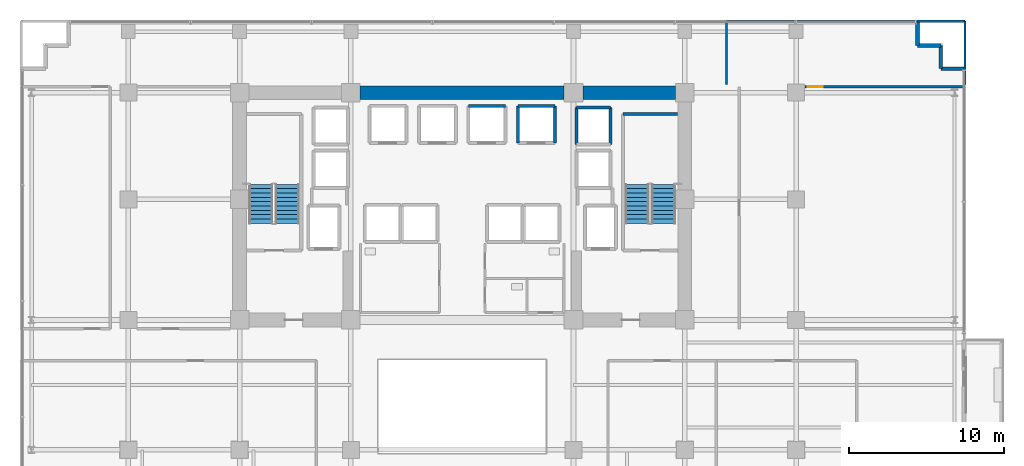
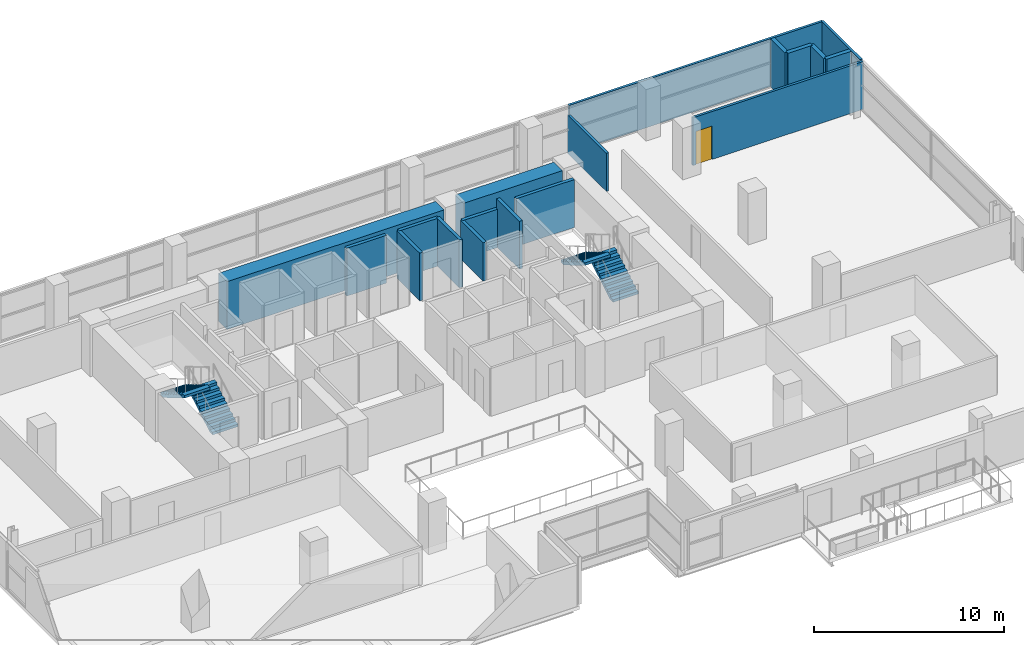
# One storey, part 24 of 28: 18 walls, 4 stair flights, 1 door, 1 opening, 2 elements without a shape of their own.
"""IFC4 building model written with IfcOpenShell, lengths in metres."""

from ifc_helpers import new_model, si_unit, direction, frame, frame_2d, origin, place, context, subcontext, project, spatial, polyline, rectangle, outline, extrude, source, transform, mapped, material, layer, layer_set, type_object, element, fill, aggregate, save


model = new_model("IFC4")

# Units and contexts
model_context = context("Model", 3, precision=1e-05, world=origin(), true_north=direction((0.0, 1.0)))
body_context = subcontext(model_context, "Body", "Model", "MODEL_VIEW")
ifc_project = project(units=[si_unit("LENGTHUNIT", "METRE"), si_unit("AREAUNIT", "SQUARE_METRE"), si_unit("VOLUMEUNIT", "CUBIC_METRE"), si_unit("PLANEANGLEUNIT", "RADIAN"), si_unit("MASSUNIT", "GRAM", prefix="KILO")], contexts=[model_context])

# Site, building, storey
site_placement = place(None, origin())
site = spatial("IfcSite", under=ifc_project, at=site_placement, CompositionType="ELEMENT")
building_placement = place(site_placement, origin())
building = spatial("IfcBuilding", under=site, at=building_placement, Name="Zarnakvel Exchange Tower", CompositionType="ELEMENT")
storey_placement = place(building_placement, frame((0.0, 0.0, 57.10009765625)))
storey = spatial("IfcBuildingStorey", under=building, at=storey_placement, Name="L15", CompositionType="ELEMENT", Elevation=57.10009765625)

# Walls
ifc_material_1 = material(Name="Concrete C80/95", Category="concrete")
ifc_layer_1 = layer(ifc_material_1, 0.89990234375)
ifc_layer_set_1 = layer_set([ifc_layer_1], Name="Concrete C80/95")
wall_type_1 = type_object("IfcWallType", Name="CW-C1", PredefinedType="SHEAR", material=ifc_layer_set_1)
wall_1_placement = place(storey_placement, frame((-6.60009765625, 13.5, 0.0), z_axis=(0.0, 0.0, 1.0), x_axis=(1.0, 0.0, 0.0)))
element("IfcWall", 1, at=wall_1_placement, inside=storey, type_object=wall_type_1, Name="L15 Rear Core Shear Wall N2 (CW-C1)", PredefinedType="SHEAR", context=body_context, shape_type="SweptSolid", body=[
    extrude(rectangle(XDim=13.2001953125, YDim=0.89990234375, at=frame_2d((6.60009765625, 0.0))), origin(), (0.0, 0.0, 1.0), 3.074951171875),
])
wall_2_placement = place(storey_placement, frame((7.800048828125, 13.5, 0.0), z_axis=(0.0, 0.0, 1.0), x_axis=(1.0, 0.0, 0.0)))
element("IfcWall", 2, at=wall_2_placement, inside=storey, type_object=wall_type_1, Name="L15 Rear Core Shear Wall N3 (CW-C1)", PredefinedType="SHEAR", context=body_context, shape_type="SweptSolid", body=[
    extrude(rectangle(XDim=6.0, YDim=0.89990234375, at=frame_2d((3.0, 0.0))), origin(), (0.0, 0.0, 1.0), 3.074951171875),
])
ifc_material_2 = material(Name="Precast concrete C40/50", Category="concrete")
ifc_layer_2 = layer(ifc_material_2, 0.239990234375)
ifc_layer_set_2 = layer_set([ifc_layer_2], Name="Precast concrete C40/50")
wall_type_2 = type_object("IfcWallType", Name="EW-02", PredefinedType="SOLIDWALL", material=ifc_layer_set_2)
for number, where, z_axis, x_axis, name in (
    (3, (29.4599609375, 16.56005859375, 0.0), (0.0, 0.0, 1.0), (0.0, 1.0, 0.0), "L15 Exterior Precast Spandrel Wall EWC-L15-05 (EW-02)"),
    (4, (30.9599609375, 16.56005859375, 0.0), (0.0, 0.0, 1.0), (-1.0, 0.0, 0.0), "L15 Exterior Precast Spandrel Wall EWC-L15-06 (EW-02)"),
    (5, (30.9599609375, 15.06005859375, 0.0), (0.0, 0.0, 1.0), (0.0, 1.0, 0.0), "L15 Exterior Precast Spandrel Wall EWC-L15-07 (EW-02)"),
    (6, (32.4599609375, 15.06005859375, 0.0), (0.0, 0.0, 1.0), (-1.0, 0.0, 0.0), "L15 Exterior Precast Spandrel Wall EWC-L15-08 (EW-02)"),
):
    element("IfcWall", number, at=place(storey_placement, frame(where, z_axis=z_axis, x_axis=x_axis)), inside=storey, type_object=wall_type_2, Name=name, PredefinedType="SOLIDWALL", context=body_context, shape_type="SweptSolid", body=[
        extrude(rectangle(XDim=1.5, YDim=0.239990234375, at=frame_2d((0.75, 0.0))), origin(), (0.0, 0.0, 1.0), 3.074951171875),
    ])

# Wall, opening, door
ifc_material_3 = material(Name="Fire-Rated Gypsum Stud Partition", Category="gypsum")
ifc_layer_3 = layer(ifc_material_3, 0.14990234375)
ifc_layer_set_3 = layer_set([ifc_layer_3], Name="Fire-Rated Gypsum Stud Partition")
wall_type_3 = type_object("IfcWallType", Name="PT-01", PredefinedType="PARTITIONING", material=ifc_layer_set_3)
wall_3_placement = place(storey_placement, frame((22.169921875, 13.8798828125, 0.0), z_axis=(0.0, 0.0, 1.0), x_axis=(1.0, 0.0, 0.0)))
wall_3 = element("IfcWall", 7, at=wall_3_placement, inside=storey, type_object=wall_type_3, Name="L15 Partition Wall PWALL-L15-046 (PT-01)", PredefinedType="PARTITIONING", context=body_context, shape_type="SweptSolid", body=[
    extrude(rectangle(XDim=10.360107421875, YDim=0.14990234375, at=frame_2d((5.18017578125, 0.0))), origin(), (0.0, 0.0, 1.0), 3.074951171875),
])
opening_placement = place(wall_3_placement, frame((0.179931640625, 0.0, 0.0)))
opening = element("IfcOpeningElement", 8, at=opening_placement, cuts=wall_3, Name="Opening D-L15-18", PredefinedType="OPENING", context=body_context, shape_type="SweptSolid", body=[
    extrude(rectangle(XDim=0.97998046875, YDim=2.14990234375, at=frame_2d((0.489990234375, 1.074951171875))), frame((0.0, 0.0849609375, 0.0), z_axis=(0.0, -1.0, 0.0), x_axis=(1.0, 0.0, 0.0)), (0.0, 0.0, 1.0), 0.169921875),
])
ifc_material_4 = material(Name="Timber Acoustic Veneer", Category="wood")
door_type = type_object("IfcDoorType", Name="DT-05", OperationType="NOTDEFINED", PredefinedType="DOOR", material=ifc_material_4)
shared_shape = source(origin(), body_context, "Body", "SweptSolid", [
    extrude(rectangle(XDim=0.97998046875, YDim=2.14990234375, at=frame_2d((0.489990234375, 1.074951171875))), frame((0.0, 0.02490234375, 0.0), z_axis=(0.0, -1.0, 0.0), x_axis=(1.0, 0.0, 0.0)), (0.0, 0.0, 1.0), 0.050048828125),
])
door_placement = place(opening_placement, origin())
door = element("IfcDoor", 9, at=door_placement, inside=storey, type_object=door_type, Name="L15 Breakout Lounge Door D-L15-18", OperationType="SINGLE_SWING_RIGHT", OverallHeight=2.14990234375, OverallWidth=0.97998046875, PredefinedType="DOOR", context=body_context, shape_type="MappedRepresentation", body=[
    mapped(shared_shape, transform((0.0, 0.0, 0.0), x_axis=(1.0, 0.0, 0.0), y_axis=(0.0, 1.0, 0.0), z_axis=(0.0, 0.0, 1.0), scale=1.0)),
])
fill(opening, door)

# Walls
wall_4_placement = place(storey_placement, frame((17.10009765625, 18.1298828125, 0.0), z_axis=(0.0, 0.0, 1.0), x_axis=(0.0, -1.0, 0.0)))
element("IfcWall", 10, at=wall_4_placement, inside=storey, type_object=wall_type_3, Name="L15 Partition Wall PWALL-L15-051 (PT-01)", PredefinedType="PARTITIONING", context=body_context, shape_type="SweptSolid", body=[
    extrude(rectangle(XDim=4.099853515625, YDim=0.14990234375, at=frame_2d((2.0498046875, 0.0))), origin(), (0.0, 0.0, 1.0), 2.46484375),
])
wall_5_placement = place(storey_placement, frame((17.10009765625, 18.1298828125, 0.0), z_axis=(0.0, 0.0, 1.0), x_axis=(1.0, 0.0, 0.0)))
element("IfcWall", 11, at=wall_5_placement, inside=storey, type_object=wall_type_3, Name="L15 Partition Wall PWALL-L15-052 (PT-01)", PredefinedType="PARTITIONING", context=body_context, shape_type="SweptSolid", body=[
    extrude(rectangle(XDim=15.429931640625, YDim=0.14990234375, at=frame_2d((7.71484375, 0.0))), origin(), (0.0, 0.0, 1.0), 3.074951171875),
])
wall_6_placement = place(storey_placement, frame((32.530029296875, 18.1298828125, 0.0), z_axis=(0.0, 0.0, 1.0), x_axis=(0.0, -1.0, 0.0)))
element("IfcWall", 12, at=wall_6_placement, inside=storey, type_object=wall_type_3, Name="L15 Partition Wall PWALL-L15-053 (PT-01)", PredefinedType="PARTITIONING", context=body_context, shape_type="SweptSolid", body=[
    extrude(rectangle(XDim=4.099853515625, YDim=0.14990234375, at=frame_2d((2.0498046875, 0.0))), origin(), (0.0, 0.0, 1.0), 3.074951171875),
])
ifc_material_5 = material(Name="Concrete C40/50", Category="concrete")
ifc_layer_4 = layer(ifc_material_5, 0.199951171875)
ifc_layer_set_4 = layer_set([ifc_layer_4], Name="Concrete C40/50")
wall_type_4 = type_object("IfcWallType", Name="SW-01", PredefinedType="SOLIDWALL", material=ifc_layer_set_4)
wall_7_placement = place(storey_placement, frame((0.39990234375, 12.64990234375, 0.0), z_axis=(0.0, 0.0, 1.0), x_axis=(1.0, 0.0, 0.0)))
element("IfcWall", 13, at=wall_7_placement, inside=storey, type_object=wall_type_4, Name="L15 PL-03 Hoistway Wall North", PredefinedType="SOLIDWALL", context=body_context, shape_type="SweptSolid", body=[
    extrude(rectangle(XDim=2.400146484375, YDim=0.199951171875, at=frame_2d((1.2001953125, 0.0))), origin(), (0.0, 0.0, 1.0), 3.074951171875),
])
for number, where, z_axis, x_axis, name in (
    (14, (3.60009765625, 12.64990234375, 0.0), (0.0, 0.0, 1.0), (1.0, 0.0, 0.0), "L15 PL-04 Hoistway Wall North"),
    (15, (3.60009765625, 10.25, 0.0), (0.0, 0.0, 1.0), (0.0, 1.0, 0.0), "L15 PL-04 Hoistway Wall West"),
    (16, (6.0, 12.64990234375, 0.0), (0.0, 0.0, 1.0), (0.0, -1.0, 0.0), "L15 PL-04 Hoistway Wall East"),
):
    element("IfcWall", number, at=place(storey_placement, frame(where, z_axis=z_axis, x_axis=x_axis)), inside=storey, type_object=wall_type_4, Name=name, PredefinedType="SOLIDWALL", context=body_context, shape_type="SweptSolid", body=[
        extrude(rectangle(XDim=2.39990234375, YDim=0.199951171875, at=frame_2d((1.199951171875, 0.0))), origin(), (0.0, 0.0, 1.0), 3.074951171875),
    ])
wall_8_placement = place(storey_placement, frame((7.39990234375, 12.550048828125, 0.0), z_axis=(0.0, 0.0, 1.0), x_axis=(1.0, 0.0, 0.0)))
element("IfcWall", 17, at=wall_8_placement, inside=storey, type_object=wall_type_4, Name="L15 PL-12 Hoistway Wall North", PredefinedType="SOLIDWALL", context=body_context, shape_type="SweptSolid", body=[
    extrude(rectangle(XDim=2.2001953125, YDim=0.199951171875, at=frame_2d((1.10009765625, 0.0))), origin(), (0.0, 0.0, 1.0), 2.46484375),
])
wall_9_placement = place(storey_placement, frame((7.39990234375, 10.14990234375, 0.0), z_axis=(0.0, 0.0, 1.0), x_axis=(0.0, 1.0, 0.0)))
element("IfcWall", 18, at=wall_9_placement, inside=storey, type_object=wall_type_4, Name="L15 PL-12 Hoistway Wall West", PredefinedType="SOLIDWALL", context=body_context, shape_type="SweptSolid", body=[
    extrude(rectangle(XDim=2.400146484375, YDim=0.199951171875, at=frame_2d((1.2001953125, 0.0))), origin(), (0.0, 0.0, 1.0), 2.46484375),
])
wall_10_placement = place(storey_placement, frame((9.60009765625, 12.550048828125, 0.0), z_axis=(0.0, 0.0, 1.0), x_axis=(0.0, -1.0, 0.0)))
element("IfcWall", 19, at=wall_10_placement, inside=storey, type_object=wall_type_4, Name="L15 PL-12 Hoistway Wall East", PredefinedType="SOLIDWALL", context=body_context, shape_type="SweptSolid", body=[
    extrude(rectangle(XDim=2.400146484375, YDim=0.199951171875, at=frame_2d((1.2001953125, 0.0))), origin(), (0.0, 0.0, 1.0), 3.074951171875),
])
ifc_layer_5 = layer(ifc_material_5, 0.199951171875)
ifc_layer_set_5 = layer_set([ifc_layer_5], Name="Concrete C40/50")
wall_type_5 = type_object("IfcWallType", Name="SW-02", PredefinedType="SOLIDWALL", material=ifc_layer_set_5)
wall_11_placement = place(storey_placement, frame((10.409912109375, 12.1298828125, 0.0), z_axis=(0.0, 0.0, 1.0), x_axis=(1.0, 0.0, 0.0)))
element("IfcWall", 20, at=wall_11_placement, inside=storey, type_object=wall_type_5, Name="L15 Stairwell Core Wall PWALL-L15-005 (SW-02)", PredefinedType="SOLIDWALL", context=body_context, shape_type="SweptSolid", body=[
    extrude(rectangle(XDim=3.52001953125, YDim=0.199951171875, at=frame_2d((1.760009765625, 0.0))), origin(), (0.0, 0.0, 1.0), 3.074951171875),
])

# Stair, stair flights
stair_type = type_object("IfcStairType", Name="STR-01", PredefinedType="HALF_TURN_STAIR", material=ifc_material_5)
stair_1_placement = place(storey_placement, origin())
stair_1 = element("IfcStair", 21, at=stair_1_placement, inside=storey, type_object=stair_type, Name="L15 Protected Core Exit Stair ST-01", PredefinedType="HALF_TURN_STAIR")
stair_flight_type = type_object("IfcStairFlightType", Name="FLT-01", PredefinedType="STRAIGHT", material=ifc_material_5)
stair_flight_1_placement = place(storey_placement, frame((-11.31494140625, 5.050048828125, 0.0), z_axis=(0.0, 0.0, 1.0), x_axis=(0.0, 1.0, 0.0)))
stair_flight_1 = element("IfcStairFlight", 22, at=stair_flight_1_placement, type_object=stair_flight_type, Name="ST-01 flight 1", NumberOfRisers=10, NumberOfTreads=9, PredefinedType="STRAIGHT", RiserHeight=0.165, TreadLength=0.28, context=body_context, shape_type="SweptSolid", body=[
    extrude(outline(polyline([(0.0, 0.0), (0.0, 0.1650390625), (0.280029296875, 0.1650390625), (0.280029296875, 0.330078125), (0.56005859375, 0.330078125), (0.56005859375, 0.4951171875), (0.840087890625, 0.4951171875), (0.840087890625, 0.659912109375), (1.1201171875, 0.659912109375), (1.1201171875, 0.824951171875), (1.39990234375, 0.824951171875), (1.39990234375, 0.989990234375), (1.679931640625, 0.989990234375), (1.679931640625, 1.155029296875), (1.9599609375, 1.155029296875), (1.9599609375, 1.320068359375), (2.239990234375, 1.320068359375), (2.239990234375, 1.485107421875), (2.52001953125, 1.485107421875), (2.52001953125, 1.64990234375), (2.52001953125, 1.31103515625), (0.295166015625, 0.0), (0.0, 0.0)])), frame((0.0, 0.77490234375, 0.0), z_axis=(0.0, -1.0, 0.0), x_axis=(1.0, 0.0, 0.0)), (0.0, 0.0, 1.0), 1.550048828125),
])
stair_flight_2_placement = place(storey_placement, frame((-13.02490234375, 7.570068359375, 1.64990234375), z_axis=(0.0, 0.0, 1.0), x_axis=(0.0, -1.0, 0.0)))
stair_flight_2 = element("IfcStairFlight", 23, at=stair_flight_2_placement, type_object=stair_flight_type, Name="ST-01 flight 2", NumberOfRisers=10, NumberOfTreads=9, PredefinedType="STRAIGHT", RiserHeight=0.165, TreadLength=0.28, context=body_context, shape_type="SweptSolid", body=[
    extrude(outline(polyline([(0.0, 0.0), (0.0, 0.1650390625), (0.280029296875, 0.1650390625), (0.280029296875, 0.330078125), (0.56005859375, 0.330078125), (0.56005859375, 0.4951171875), (0.840087890625, 0.4951171875), (0.840087890625, 0.659912109375), (1.1201171875, 0.659912109375), (1.1201171875, 0.824951171875), (1.39990234375, 0.824951171875), (1.39990234375, 0.989990234375), (1.679931640625, 0.989990234375), (1.679931640625, 1.155029296875), (1.9599609375, 1.155029296875), (1.9599609375, 1.320068359375), (2.239990234375, 1.320068359375), (2.239990234375, 1.485107421875), (2.52001953125, 1.485107421875), (2.52001953125, 1.64990234375), (2.52001953125, 1.31103515625), (0.295166015625, 0.0), (0.0, 0.0)])), frame((0.0, 0.77490234375, 0.0), z_axis=(0.0, -1.0, 0.0), x_axis=(1.0, 0.0, 0.0)), (0.0, 0.0, 1.0), 1.550048828125),
])
aggregate(stair_1, [stair_flight_1, stair_flight_2])

stair_2_placement = place(storey_placement, origin())
stair_2 = element("IfcStair", 24, at=stair_2_placement, inside=storey, type_object=stair_type, Name="L15 Protected Core Exit Stair ST-02", PredefinedType="HALF_TURN_STAIR")
stair_flight_3_placement = place(storey_placement, frame((13.02490234375, 5.050048828125, 0.0), z_axis=(0.0, 0.0, 1.0), x_axis=(0.0, 1.0, 0.0)))
stair_flight_3 = element("IfcStairFlight", 25, at=stair_flight_3_placement, type_object=stair_flight_type, Name="ST-02 flight 1", NumberOfRisers=10, NumberOfTreads=9, PredefinedType="STRAIGHT", RiserHeight=0.165, TreadLength=0.28, context=body_context, shape_type="SweptSolid", body=[
    extrude(outline(polyline([(0.0, 0.0), (0.0, 0.1650390625), (0.280029296875, 0.1650390625), (0.280029296875, 0.330078125), (0.56005859375, 0.330078125), (0.56005859375, 0.4951171875), (0.840087890625, 0.4951171875), (0.840087890625, 0.659912109375), (1.1201171875, 0.659912109375), (1.1201171875, 0.824951171875), (1.39990234375, 0.824951171875), (1.39990234375, 0.989990234375), (1.679931640625, 0.989990234375), (1.679931640625, 1.155029296875), (1.9599609375, 1.155029296875), (1.9599609375, 1.320068359375), (2.239990234375, 1.320068359375), (2.239990234375, 1.485107421875), (2.52001953125, 1.485107421875), (2.52001953125, 1.64990234375), (2.52001953125, 1.31103515625), (0.295166015625, 0.0), (0.0, 0.0)])), frame((0.0, 0.77490234375, 0.0), z_axis=(0.0, -1.0, 0.0), x_axis=(1.0, 0.0, 0.0)), (0.0, 0.0, 1.0), 1.550048828125),
])
stair_flight_4_placement = place(storey_placement, frame((11.31494140625, 7.570068359375, 1.64990234375), z_axis=(0.0, 0.0, 1.0), x_axis=(0.0, -1.0, 0.0)))
stair_flight_4 = element("IfcStairFlight", 26, at=stair_flight_4_placement, type_object=stair_flight_type, Name="ST-02 flight 2", NumberOfRisers=10, NumberOfTreads=9, PredefinedType="STRAIGHT", RiserHeight=0.165, TreadLength=0.28, context=body_context, shape_type="SweptSolid", body=[
    extrude(outline(polyline([(0.0, 0.0), (0.0, 0.1650390625), (0.280029296875, 0.1650390625), (0.280029296875, 0.330078125), (0.56005859375, 0.330078125), (0.56005859375, 0.4951171875), (0.840087890625, 0.4951171875), (0.840087890625, 0.659912109375), (1.1201171875, 0.659912109375), (1.1201171875, 0.824951171875), (1.39990234375, 0.824951171875), (1.39990234375, 0.989990234375), (1.679931640625, 0.989990234375), (1.679931640625, 1.155029296875), (1.9599609375, 1.155029296875), (1.9599609375, 1.320068359375), (2.239990234375, 1.320068359375), (2.239990234375, 1.485107421875), (2.52001953125, 1.485107421875), (2.52001953125, 1.64990234375), (2.52001953125, 1.31103515625), (0.295166015625, 0.0), (0.0, 0.0)])), frame((0.0, 0.77490234375, 0.0), z_axis=(0.0, -1.0, 0.0), x_axis=(1.0, 0.0, 0.0)), (0.0, 0.0, 1.0), 1.550048828125),
])
aggregate(stair_2, [stair_flight_3, stair_flight_4])

save(model, "model.ifc")
